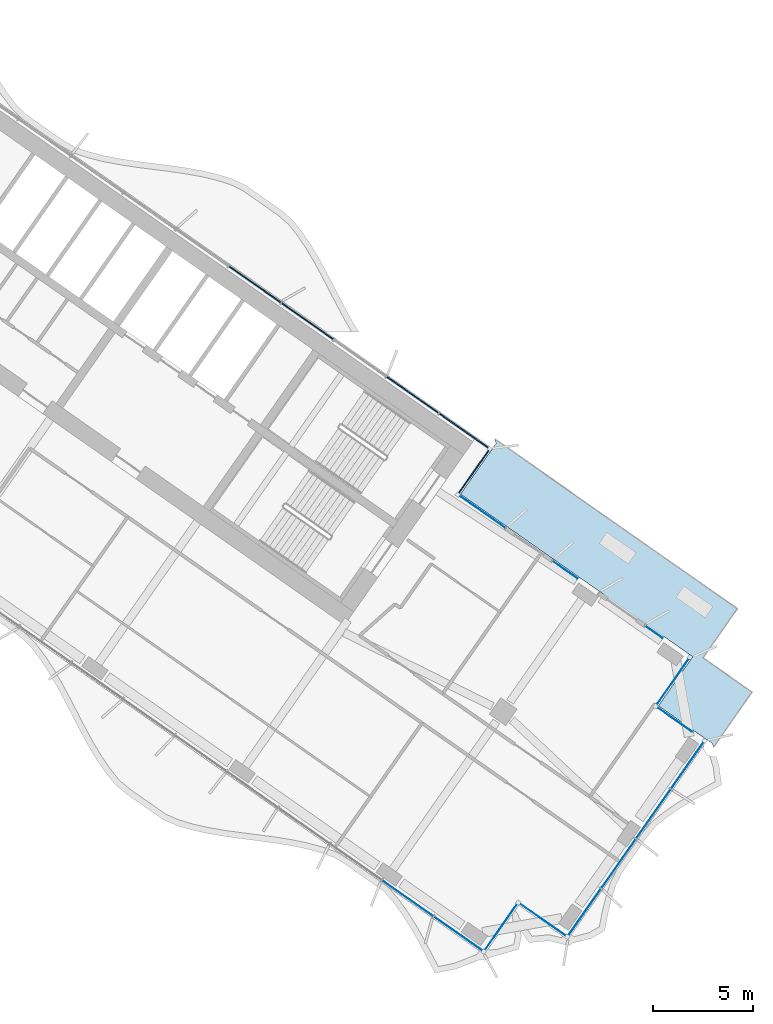
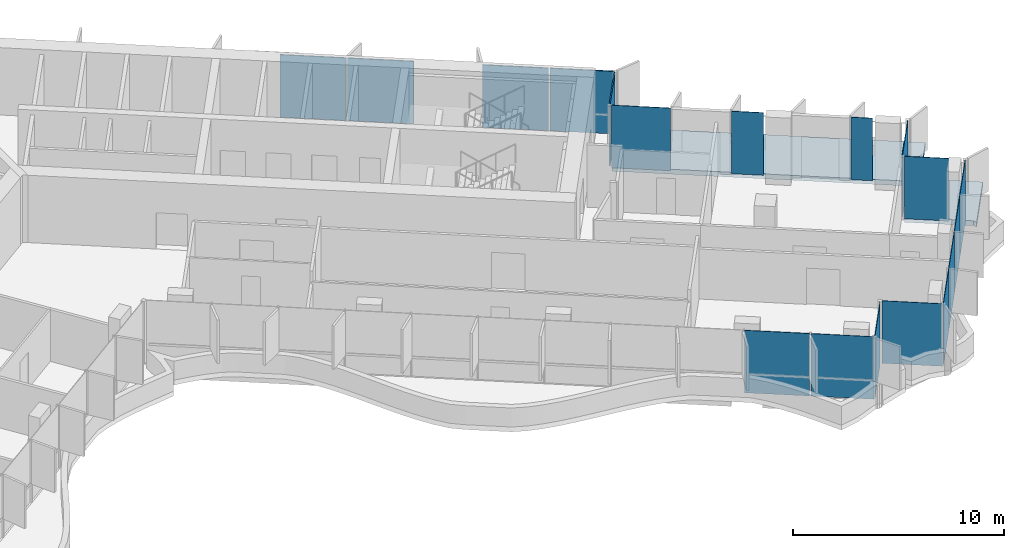
# One storey, part 12 of 24: 18 plates, 1 slab, 4 elements without a shape of their own.
"""IFC4 building model written with IfcOpenShell, lengths in metres."""

from ifc_helpers import new_model, si_unit, direction, frame, origin, origin_2d, place, context, subcontext, project, spatial, polyline, rectangle, outline, extrude, material, layer, layer_set, type_object, element, aggregate, save


model = new_model("IFC4")

# Units and contexts
model_context = context("Model", 3, precision=1e-05, world=origin(), true_north=direction((0.0, 1.0)))
body_context = subcontext(model_context, "Body", "Model", "MODEL_VIEW")
ifc_project = project(units=[si_unit("LENGTHUNIT", "METRE"), si_unit("AREAUNIT", "SQUARE_METRE"), si_unit("VOLUMEUNIT", "CUBIC_METRE"), si_unit("PLANEANGLEUNIT", "RADIAN"), si_unit("MASSUNIT", "GRAM", prefix="KILO")], contexts=[model_context])

# Site, building, storey
site_placement = place(None, origin())
site = spatial("IfcSite", under=ifc_project, at=site_placement, CompositionType="ELEMENT")
building_placement = place(site_placement, origin())
building = spatial("IfcBuilding", under=site, at=building_placement, Name="Tel Ilan Convention Tower", CompositionType="ELEMENT")
storey_placement = place(building_placement, frame((0.0, 0.0, 132.0)))
storey = spatial("IfcBuildingStorey", under=building, at=storey_placement, Name="L29", CompositionType="ELEMENT", Elevation=132.0)

# Curtain wall, plate
ifc_material_1 = material(Name="Aluminium, bronze anodised", Category="aluminium")
curtain_wall_type_1 = type_object("IfcCurtainWallType", Name="CW4 STICK CURTAIN WALL, OFFICE TINTED GLASS", PredefinedType="NOTDEFINED", material=ifc_material_1)
curtain_wall_1_placement = place(storey_placement, origin())
curtain_wall_1 = element("IfcCurtainWall", 1, at=curtain_wall_1_placement, inside=storey, type_object=curtain_wall_type_1, Name="Curtain wall CW4-23.02", PredefinedType="NOTDEFINED")
ifc_material_2 = material(Name="Glass, bronze tinted, two-ply", Category="glass")
ifc_layer_1 = layer(ifc_material_2, 0.028076171875)
ifc_layer_set_1 = layer_set([ifc_layer_1], Name="CW GLASS PANEL 28")
plate_type_1 = type_object("IfcPlateType", Name="CW GLASS PANEL 28", PredefinedType="CURTAIN_PANEL", material=ifc_layer_set_1)
plate_1_placement = place(storey_placement, frame((32.5927734375, -13.5439453125, 0.0), z_axis=(0.0, 0.0, 1.0), x_axis=(-0.819152044289, 0.573576436351, 0.0)))
plate_1 = element("IfcPlate", 2, at=plate_1_placement, type_object=plate_type_1, Name="Glass panel", PredefinedType="CURTAIN_PANEL", context=body_context, shape_type="SweptSolid", body=[
    extrude(rectangle(XDim=1.513916015625, YDim=0.028076171875, at=origin_2d()), origin(), (0.0, 0.0, 1.0), 3.6201171875),
])
aggregate(curtain_wall_1, [plate_1])

curtain_wall_2_placement = place(storey_placement, origin())
curtain_wall_2 = element("IfcCurtainWall", 3, at=curtain_wall_2_placement, inside=storey, type_object=curtain_wall_type_1, Name="Curtain wall CW4-23.04", PredefinedType="NOTDEFINED")
plate_2_placement = place(storey_placement, frame((28.44677734375, -10.640625, 0.0), z_axis=(0.0, 0.0, 1.0), x_axis=(-0.819152044289, 0.573576436351, 0.0)))
plate_2 = element("IfcPlate", 4, at=plate_2_placement, type_object=plate_type_1, Name="Glass panel", PredefinedType="CURTAIN_PANEL", context=body_context, shape_type="SweptSolid", body=[
    extrude(rectangle(XDim=2.80908203125, YDim=0.028076171875, at=origin_2d()), origin(), (0.0, 0.0, 1.0), 3.6201171875),
])
aggregate(curtain_wall_2, [plate_2])

# Curtain wall, plates
curtain_wall_3_placement = place(storey_placement, origin())
curtain_wall_3 = element("IfcCurtainWall", 5, at=curtain_wall_3_placement, inside=storey, type_object=curtain_wall_type_1, Name="Curtain wall CW4-23.10", PredefinedType="NOTDEFINED")
plate_3_placement = place(storey_placement, frame((24.71044921875, -29.99853515625, 0.0), z_axis=(0.0, 0.0, 1.0), x_axis=(0.819152044289, -0.573576436351, 0.0)))
plate_3 = element("IfcPlate", 6, at=plate_3_placement, type_object=plate_type_1, Name="Glass panel", PredefinedType="CURTAIN_PANEL", context=body_context, shape_type="SweptSolid", body=[
    extrude(rectangle(XDim=3.10791015625, YDim=0.028076171875, at=origin_2d()), origin(), (0.0, 0.0, 1.0), 3.6201171875),
])
plate_4_placement = place(storey_placement, frame((27.26708984375, -31.78857421875, 0.0), z_axis=(0.0, 0.0, 1.0), x_axis=(0.819152044289, -0.573576436351, 0.0)))
plate_4 = element("IfcPlate", 7, at=plate_4_placement, type_object=plate_type_1, Name="Glass panel", PredefinedType="CURTAIN_PANEL", context=body_context, shape_type="SweptSolid", body=[
    extrude(rectangle(XDim=3.013916015625, YDim=0.028076171875, at=origin_2d()), origin(), (0.0, 0.0, 1.0), 3.6201171875),
])
plate_5_placement = place(storey_placement, frame((29.359375, -31.469482421875, 0.0), z_axis=(0.0, 0.0, 1.0), x_axis=(0.573576436351, 0.819152044289, 0.0)))
plate_5 = element("IfcPlate", 8, at=plate_5_placement, type_object=plate_type_1, Name="Glass panel", PredefinedType="CURTAIN_PANEL", context=body_context, shape_type="SweptSolid", body=[
    extrude(rectangle(XDim=2.875, YDim=0.028076171875, at=origin_2d()), origin(), (0.0, 0.0, 1.0), 3.6201171875),
])
plate_6_placement = place(storey_placement, frame((31.502197265625, -31.091796875, 0.0), z_axis=(0.0, 0.0, 1.0), x_axis=(0.819152044289, -0.573576436351, 0.0)))
plate_6 = element("IfcPlate", 9, at=plate_6_placement, type_object=plate_type_1, Name="Glass panel", PredefinedType="CURTAIN_PANEL", context=body_context, shape_type="SweptSolid", body=[
    extrude(rectangle(XDim=2.875, YDim=0.028076171875, at=origin_2d()), origin(), (0.0, 0.0, 1.0), 3.6201171875),
])
plate_7_placement = place(storey_placement, frame((33.543701171875, -30.72412109375, 0.0), z_axis=(0.0, 0.0, 1.0), x_axis=(0.573576436351, 0.819152044289, 0.0)))
plate_7 = element("IfcPlate", 10, at=plate_7_placement, type_object=plate_type_1, Name="Glass panel", PredefinedType="CURTAIN_PANEL", context=body_context, shape_type="SweptSolid", body=[
    extrude(rectangle(XDim=2.89599609375, YDim=0.028076171875, at=origin_2d()), origin(), (0.0, 0.0, 1.0), 3.6201171875),
])
plate_8_placement = place(storey_placement, frame((35.26611328125, -28.264404296875, 0.0), z_axis=(0.0, 0.0, 1.0), x_axis=(0.573576436351, 0.819152044289, 0.0)))
plate_8 = element("IfcPlate", 11, at=plate_8_placement, type_object=plate_type_1, Name="Glass panel", PredefinedType="CURTAIN_PANEL", context=body_context, shape_type="SweptSolid", body=[
    extrude(rectangle(XDim=2.989990234375, YDim=0.028076171875, at=origin_2d()), origin(), (0.0, 0.0, 1.0), 3.6201171875),
])
plate_9_placement = place(storey_placement, frame((37.015380859375, -25.765869140625, 0.0), z_axis=(0.0, 0.0, 1.0), x_axis=(0.573576436351, 0.819152044289, 0.0)))
plate_9 = element("IfcPlate", 12, at=plate_9_placement, type_object=plate_type_1, Name="Glass panel", PredefinedType="CURTAIN_PANEL", context=body_context, shape_type="SweptSolid", body=[
    extrude(rectangle(XDim=2.989990234375, YDim=0.028076171875, at=origin_2d()), origin(), (0.0, 0.0, 1.0), 3.6201171875),
])
plate_10_placement = place(storey_placement, frame((38.73779296875, -23.305908203125, 0.0), z_axis=(0.0, 0.0, 1.0), x_axis=(0.573576436351, 0.819152044289, 0.0)))
plate_10 = element("IfcPlate", 13, at=plate_10_placement, type_object=plate_type_1, Name="Glass panel", PredefinedType="CURTAIN_PANEL", context=body_context, shape_type="SweptSolid", body=[
    extrude(rectangle(XDim=2.89599609375, YDim=0.028076171875, at=origin_2d()), origin(), (0.0, 0.0, 1.0), 3.6201171875),
])
plate_11_placement = place(storey_placement, frame((38.076904296875, -21.046142578125, 0.0), z_axis=(0.0, 0.0, 1.0), x_axis=(-0.819152044289, 0.573576436351, 0.0)))
plate_11 = element("IfcPlate", 14, at=plate_11_placement, type_object=plate_type_1, Name="Glass panel", PredefinedType="CURTAIN_PANEL", context=body_context, shape_type="SweptSolid", body=[
    extrude(rectangle(XDim=2.123046875, YDim=0.028076171875, at=origin_2d()), origin(), (0.0, 0.0, 1.0), 3.6201171875),
])
plate_12_placement = place(storey_placement, frame((38.007080078125, -19.119140625, 0.0), z_axis=(0.0, 0.0, 1.0), x_axis=(0.573576436351, 0.819152044289, 0.0)))
plate_12 = element("IfcPlate", 15, at=plate_12_placement, type_object=plate_type_1, Name="Glass panel", PredefinedType="CURTAIN_PANEL", context=body_context, shape_type="SweptSolid", body=[
    extrude(rectangle(XDim=2.875, YDim=0.028076171875, at=origin_2d()), origin(), (0.0, 0.0, 1.0), 3.6201171875),
])
plate_13_placement = place(storey_placement, frame((37.049072265625, -16.6640625, 0.0), z_axis=(0.0, 0.0, 1.0), x_axis=(-0.819152044289, 0.573576436351, 0.0)))
plate_13 = element("IfcPlate", 16, at=plate_13_placement, type_object=plate_type_1, Name="Glass panel", PredefinedType="CURTAIN_PANEL", context=body_context, shape_type="SweptSolid", body=[
    extrude(rectangle(XDim=1.033935546875, YDim=0.028076171875, at=origin_2d()), origin(), (0.0, 0.0, 1.0), 3.6201171875),
])
aggregate(curtain_wall_3, [plate_3, plate_4, plate_5, plate_6, plate_7, plate_8, plate_9, plate_10, plate_11, plate_12, plate_13])

ifc_material_3 = material(Name="Aluminium, bronze anodised", Category="aluminium")
curtain_wall_type_2 = type_object("IfcCurtainWallType", Name="CW2 STICK CURTAIN WALL, SPANDREL PANELS", PredefinedType="NOTDEFINED", material=ifc_material_3)
curtain_wall_4_placement = place(storey_placement, origin())
curtain_wall_4 = element("IfcCurtainWall", 17, at=curtain_wall_4_placement, inside=storey, type_object=curtain_wall_type_2, Name="Curtain wall CW2-23.05", PredefinedType="NOTDEFINED")
ifc_material_4 = material(Name="Aluminium composite panel, bronze anodised", Category="aluminium")
ifc_layer_2 = layer(ifc_material_4, 0.06005859375)
ifc_layer_set_2 = layer_set([ifc_layer_2], Name="CW SPANDREL PANEL 60")
plate_type_2 = type_object("IfcPlateType", Name="CW SPANDREL PANEL 60", PredefinedType="CURTAIN_PANEL", material=ifc_layer_set_2)
plate_14_placement = place(storey_placement, frame((28.033935546875, -8.60546875, 0.0), z_axis=(0.0, 0.0, 1.0), x_axis=(0.573576436351, 0.819152044289, 0.0)))
plate_14 = element("IfcPlate", 18, at=plate_14_placement, type_object=plate_type_2, Name="Spandrel panel", PredefinedType="CURTAIN_PANEL", context=body_context, shape_type="SweptSolid", body=[
    extrude(rectangle(XDim=2.658935546875, YDim=0.06005859375, at=origin_2d()), origin(), (0.0, 0.0, 1.0), 3.6201171875),
])
plate_15_placement = place(storey_placement, frame((27.5400390625, -6.587646484375, 0.0), z_axis=(0.0, 0.0, 1.0), x_axis=(-0.819152044289, 0.573576436351, 0.0)))
plate_15 = element("IfcPlate", 19, at=plate_15_placement, type_object=plate_type_2, Name="Spandrel panel", PredefinedType="CURTAIN_PANEL", context=body_context, shape_type="SweptSolid", body=[
    extrude(rectangle(XDim=3.0439453125, YDim=0.06005859375, at=origin_2d()), origin(), (0.0, 0.0, 1.0), 3.6201171875),
])
plate_16_placement = place(storey_placement, frame((24.95263671875, -4.77587890625, 0.0), z_axis=(0.0, 0.0, 1.0), x_axis=(-0.819152044289, 0.573576436351, 0.0)))
plate_16 = element("IfcPlate", 20, at=plate_16_placement, type_object=plate_type_2, Name="Spandrel panel", PredefinedType="CURTAIN_PANEL", context=body_context, shape_type="SweptSolid", body=[
    extrude(rectangle(XDim=3.15380859375, YDim=0.06005859375, at=origin_2d()), origin(), (0.0, 0.0, 1.0), 3.6201171875),
])
plate_17_placement = place(storey_placement, frame((19.687255859375, -1.089111328125, 0.0), z_axis=(0.0, 0.0, 1.0), x_axis=(-0.819152044289, 0.573576436351, 0.0)))
plate_17 = element("IfcPlate", 21, at=plate_17_placement, type_object=plate_type_2, Name="Spandrel panel", PredefinedType="CURTAIN_PANEL", context=body_context, shape_type="SweptSolid", body=[
    extrude(rectangle(XDim=3.15380859375, YDim=0.06005859375, at=origin_2d()), origin(), (0.0, 0.0, 1.0), 3.6201171875),
])
plate_18_placement = place(storey_placement, frame((17.0546875, 0.754150390625, 0.0), z_axis=(0.0, 0.0, 1.0), x_axis=(-0.819152044289, 0.573576436351, 0.0)))
plate_18 = element("IfcPlate", 22, at=plate_18_placement, type_object=plate_type_2, Name="Spandrel panel", PredefinedType="CURTAIN_PANEL", context=body_context, shape_type="SweptSolid", body=[
    extrude(rectangle(XDim=3.15380859375, YDim=0.06005859375, at=origin_2d()), origin(), (0.0, 0.0, 1.0), 3.6201171875),
])
aggregate(curtain_wall_4, [plate_14, plate_15, plate_16, plate_17, plate_18])

# Slab
ifc_material_5 = material(Name="Concrete C40/50", Category="concrete")
ifc_layer_3 = layer(ifc_material_5, 0.280029296875)
ifc_layer_set_3 = layer_set([ifc_layer_3], Name="Terrace Deck Slab 280 mm C40/50")
slab_type = type_object("IfcSlabType", Name="Terrace Deck Slab 280 mm C40/50", PredefinedType="FLOOR", material=ifc_layer_set_3)
slab_placement = place(storey_placement, frame((0.0, 0.0, -0.280029296875)))
element("IfcSlab", 23, at=slab_placement, inside=storey, type_object=slab_type, Name="L29 terrace deck 1", PredefinedType="FLOOR", context=body_context, shape_type="SweptSolid", body=[
    extrude(outline(polyline([(41.9541015625, -19.67138671875), (40.0224609375, -22.43017578125), (39.96728515625, -22.247802734375), (37.263916015625, -20.35498046875), (38.98486328125, -17.8974609375), (27.352783203125, -9.752685546875), (29.130859375, -7.21337890625), (29.0751953125, -6.9912109375), (41.217529296875, -15.493408203125), (39.496826171875, -17.95068359375), (41.9541015625, -19.67138671875)])), origin(), (0.0, 0.0, 1.0), 0.280029296875),
])

save(model, "model.ifc")
